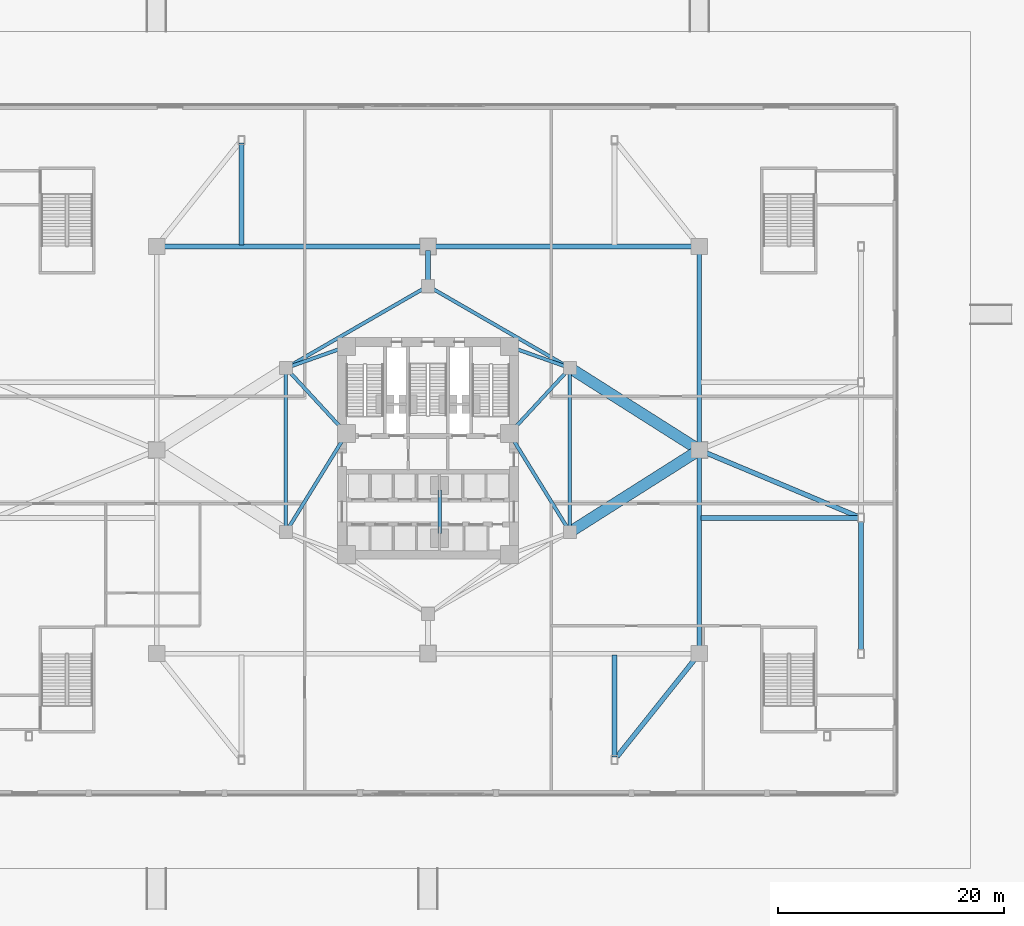
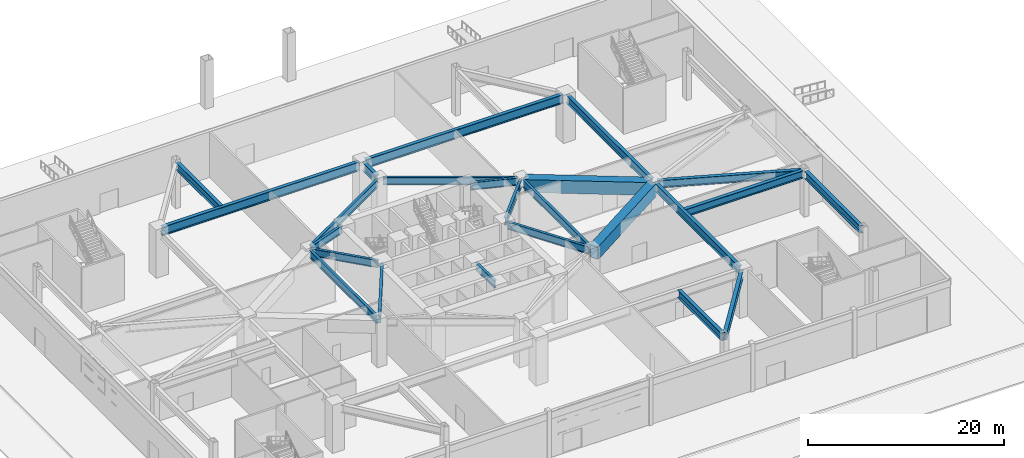
# One storey, part 5 of 24: 24 beams.
"""IFC4 building model written with IfcOpenShell, lengths in metres."""

import ifcopenshell
import ifcopenshell.guid

model = None  # the IFC model being written
_history = None  # IfcOwnerHistory: only IFC2X3 demands one
_inside = {}  # id of a spatial element -> (the spatial element, [elements in it])
_under = {}  # id of a project, library or spatial element -> (it, [spatial elements below it])
_declared = {}  # id of a project -> (the project, [libraries it declares])
_typed = {}  # id of a type object -> (the type object, [elements of that type])
_made_of = {}  # id of a material, layer set ... -> (it, [elements and type objects made of it])


def new_model(schema):
    """Start an empty IFC model of exactly this schema.

    Asked for "IFC4X3", IfcOpenShell would pick the latest addendum, in which some entities
    have other attributes; the version numbers below select the first issue.
    IFC2X3 requires an IfcOwnerHistory on every rooted entity: one is made here for all.
    """
    global model, _history
    if schema == "IFC4X3":
        model = ifcopenshell.file(schema_version=(4, 3, 0, 0))
    else:
        model = ifcopenshell.file(schema=schema)
    _inside.clear()
    _under.clear()
    _declared.clear()
    _typed.clear()
    _made_of.clear()
    _history = None
    if model.schema == "IFC2X3":
        org = make("IfcOrganization", Name="unknown")
        user = make(
            "IfcPersonAndOrganization",
            ThePerson=make("IfcPerson", FamilyName="unknown"),
            TheOrganization=org,
        )
        app = make(
            "IfcApplication",
            ApplicationDeveloper=org,
            Version="unknown",
            ApplicationFullName="unknown",
            ApplicationIdentifier="unknown",
        )
        _history = make(
            "IfcOwnerHistory",
            OwningUser=user,
            OwningApplication=app,
            ChangeAction="ADDED",
            CreationDate=0,
        )
    return model


def make(cls, **values):
    """One entity of the class cls with the attributes given. An attribute that is None is left unset."""
    return model.create_entity(
        cls, **{name: value for name, value in values.items() if value is not None}
    )


def rooted(cls, **values):
    """An entity with a GlobalId (a new one), such as an element, a storey or a relation."""
    return make(cls, GlobalId=ifcopenshell.guid.new(), OwnerHistory=_history, **values)


def si_unit(unit_type, name, prefix=None):
    """IfcSIUnit, for example si_unit("LENGTHUNIT", "METRE", prefix="MILLI")."""
    return make("IfcSIUnit", UnitType=unit_type, Prefix=prefix, Name=name)


def assignment(units):
    """IfcUnitAssignment: the units of a project."""
    return None if units is None else make("IfcUnitAssignment", Units=units)


def point(xyz):
    """IfcCartesianPoint."""
    return None if xyz is None else make("IfcCartesianPoint", Coordinates=xyz)


def direction(xyz):
    """IfcDirection."""
    return None if xyz is None else make("IfcDirection", DirectionRatios=xyz)


def frame(location, z_axis=None, x_axis=None):
    """IfcAxis2Placement3D, a coordinate frame: its origin and axes. An axis left out is left unset."""
    return make(
        "IfcAxis2Placement3D",
        Location=point(location),
        Axis=direction(z_axis),
        RefDirection=direction(x_axis),
    )


def frame_2d(location, x_axis=None):
    """IfcAxis2Placement2D, a coordinate frame in the plane: its origin and x axis."""
    return make(
        "IfcAxis2Placement2D", Location=point(location), RefDirection=direction(x_axis)
    )


def origin():
    """The frame at (0, 0, 0) with its axes left unset."""
    return frame((0.0, 0.0, 0.0))


def origin_2d():
    """The frame at (0, 0) in the plane with its x axis left unset."""
    return frame_2d((0.0, 0.0))


def place(relative_to, where):
    """IfcLocalPlacement: puts the frame where relative to a parent placement (None: the world)."""
    return make(
        "IfcLocalPlacement", PlacementRelTo=relative_to, RelativePlacement=where
    )


def context(
    kind, dimensions, precision=None, world=None, true_north=None, identifier=None
):
    """IfcGeometricRepresentationContext, for example the 3D "Model" context."""
    return make(
        "IfcGeometricRepresentationContext",
        ContextIdentifier=identifier,
        ContextType=kind,
        CoordinateSpaceDimension=dimensions,
        Precision=precision,
        WorldCoordinateSystem=world,
        TrueNorth=true_north,
    )


def subcontext(parent, identifier, kind, view, scale=None):
    """IfcGeometricRepresentationSubContext, for example "Body" below "Model"."""
    return make(
        "IfcGeometricRepresentationSubContext",
        ContextIdentifier=identifier,
        ContextType=kind,
        ParentContext=parent,
        TargetScale=scale,
        TargetView=view,
    )


def project(units=None, contexts=None):
    """IfcProject with its units and contexts."""
    return rooted(
        "IfcProject",
        Name="project",
        RepresentationContexts=contexts,
        UnitsInContext=assignment(units),
    )


def spatial(cls, under=None, at=None, **own):
    """A site, building, storey or space (cls), placed at a placement, below another one or the project."""
    s = rooted(cls, ObjectPlacement=at, **own)
    if under is not None:
        _under.setdefault(under.id(), (under, []))[1].append(s)
    return s


def profile(cls, at=None, kind="AREA", **sizes):
    """A parametric profile (cls). Its sizes go by their IFC names, for example OverallWidth=200.0."""
    return make(cls, ProfileType=kind, Position=at, **sizes)


def hollow_rectangle(**sizes):
    """IfcRectangleHollowProfileDef."""
    return profile("IfcRectangleHollowProfileDef", **sizes)


def i_section(**sizes):
    """IfcIShapeProfileDef."""
    return profile("IfcIShapeProfileDef", **sizes)


def extrude(swept, where, along, depth):
    """IfcExtrudedAreaSolid: the profile swept, set in the frame where, extruded along a direction by depth."""
    return make(
        "IfcExtrudedAreaSolid",
        SweptArea=swept,
        Position=where,
        ExtrudedDirection=direction(along),
        Depth=depth,
    )


def shape(context_of_items, identifier, shape_type, items):
    """IfcShapeRepresentation: the items that make up one representation, for example the "Body"."""
    return make(
        "IfcShapeRepresentation",
        ContextOfItems=context_of_items,
        RepresentationIdentifier=identifier,
        RepresentationType=shape_type,
        Items=items,
    )


def material(Name=None, Category=None):
    """IfcMaterial."""
    return make("IfcMaterial", Name=Name, Category=Category)


def material_profile(
    of_material, cross_section, Name=None, Category=None, Priority=None
):
    """IfcMaterialProfile: a cross section and its material."""
    return make(
        "IfcMaterialProfile",
        Name=Name,
        Material=of_material,
        Profile=cross_section,
        Priority=Priority,
        Category=Category,
    )


def profile_set(profiles, Name=None, composite=None):
    """IfcMaterialProfileSet."""
    return make(
        "IfcMaterialProfileSet",
        Name=Name,
        MaterialProfiles=profiles,
        CompositeProfile=composite,
    )


def made_of(thing, what):
    """Note that an element or type object is made of a material, layer set ...; save() writes the relation."""
    if what is not None:
        _made_of.setdefault(what.id(), (what, []))[1].append(thing)
    return thing


def type_object(cls, material=None, **own):
    """A type object (cls), such as IfcWallType, which elements share."""
    return made_of(rooted(cls, **own), material)


def element(
    cls,
    number,
    at=None,
    inside=None,
    cuts=None,
    type_object=None,
    material=None,
    context=None,
    identifier="Body",
    shape_type=None,
    held_by="IfcProductDefinitionShape",
    body=None,
    shapes=None,
    **own,
):
    """One element of the class cls, such as IfcWall. Its Tag is "e" and its number.

    at: its placement. inside: the storey or other place that contains it. cuts: it is an
    opening in that element (IfcRelVoidsElement). A single representation is given by context,
    identifier, shape_type and body (its items); several are given by shapes. held_by: the class
    of the entity that holds the representations. save() writes the other relations.
    """
    e = rooted(cls, Tag="e%d" % number, ObjectPlacement=at, **own)
    if body is not None:
        shapes = [shape(context, identifier, shape_type, body)]
    if shapes is not None:
        e.Representation = make(held_by, Representations=shapes)
    if inside is not None:
        _inside.setdefault(inside.id(), (inside, []))[1].append(e)
    if cuts is not None:
        rooted(
            "IfcRelVoidsElement", RelatingBuildingElement=cuts, RelatedOpeningElement=e
        )
    if type_object is not None:
        _typed.setdefault(type_object.id(), (type_object, []))[1].append(e)
    return made_of(e, material)


def aggregate(whole, parts):
    """IfcRelAggregates: a whole, such as a stair, and the parts it consists of."""
    return rooted("IfcRelAggregates", RelatingObject=whole, RelatedObjects=parts)


def save(model, path):
    """Write the relations noted so far, then the file.

    IfcRelAggregates (storeys below a building ...), IfcRelContainedInSpatialStructure (elements
    in a storey), IfcRelDefinesByType, IfcRelAssociatesMaterial and IfcRelDeclares: one each for
    every whole, place, type object, material and project.
    """
    for whole, parts in _under.values():
        aggregate(whole, parts)
    for where, things in _inside.values():
        rooted(
            "IfcRelContainedInSpatialStructure",
            RelatedElements=things,
            RelatingStructure=where,
        )
    for kind, things in _typed.values():
        rooted("IfcRelDefinesByType", RelatedObjects=things, RelatingType=kind)
    for what, things in _made_of.values():
        rooted("IfcRelAssociatesMaterial", RelatedObjects=things, RelatingMaterial=what)
    for by, libraries in _declared.values():
        rooted("IfcRelDeclares", RelatingContext=by, RelatedDefinitions=libraries)
    model.write(path)


model = new_model("IFC4")

# Units and contexts
model_context = context("Model", 3, precision=1e-05, world=origin(), true_north=direction((0.0, 1.0)))
body_context = subcontext(model_context, "Body", "Model", "MODEL_VIEW")
ifc_project = project(units=[si_unit("LENGTHUNIT", "METRE"), si_unit("AREAUNIT", "SQUARE_METRE"), si_unit("VOLUMEUNIT", "CUBIC_METRE"), si_unit("PLANEANGLEUNIT", "RADIAN"), si_unit("MASSUNIT", "GRAM", prefix="KILO")], contexts=[model_context])

# Site, building, storey
site_placement = place(None, origin())
site = spatial("IfcSite", under=ifc_project, at=site_placement, CompositionType="ELEMENT")
building_placement = place(site_placement, origin())
building = spatial("IfcBuilding", under=site, at=building_placement, Name="Apsidion Concourse Tower", CompositionType="ELEMENT")
storey_placement = place(building_placement, origin())
storey = spatial("IfcBuildingStorey", under=building, at=storey_placement, Name="L00", CompositionType="ELEMENT", Elevation=0.0)

# Beams
ifc_material_1 = material(Name="Structural steel ASTM A992 Grade 50", Category="steel")
ifc_material_profile_1 = material_profile(ifc_material_1, i_section(OverallWidth=0.31005859375, OverallDepth=0.931884765625, WebThickness=0.02099609375, FlangeThickness=0.034423828125, at=origin_2d()), Name="W36X210")
ifc_profile_set_1 = profile_set([ifc_material_profile_1], Name="Structural steel ASTM A992 Grade 50")
beam_type_1 = type_object("IfcBeamType", Name="BM-G-W36", PredefinedType="USERDEFINED", material=ifc_profile_set_1)
for number, where, z_axis, x_axis, name in (
    (1, (-12.35009765625, -6.909423828125, 5.23388671875), (0.524524009763, 0.851395656074, 0.0), (-0.851395656074, 0.524524009763, 0.0), "L00 Core Coupling Girder IC1-SC6"),
    (2, (12.35009765625, -6.909423828125, 5.23388671875), (-0.524524009763, 0.851395656074, 0.0), (-0.851395656074, -0.524524009763, 0.0), "L00 Core Coupling Girder IC2-SC3"),
):
    element("IfcBeam", number, at=place(storey_placement, frame(where, z_axis=z_axis, x_axis=x_axis)), inside=storey, type_object=beam_type_1, Name=name, ObjectType="GIRDER", PredefinedType="USERDEFINED", context=body_context, shape_type="SweptSolid", body=[
        extrude(i_section(OverallWidth=0.31005859375, OverallDepth=0.931884765625, WebThickness=0.02099609375, FlangeThickness=0.034423828125, at=origin_2d()), origin(), (0.0, 0.0, 1.0), 9.41845703125),
    ])
beam_1_placement = place(storey_placement, frame((12.28857421875, 6.956298828125, 5.23388671875), z_axis=(-0.678712876106, -0.73440372535, 0.0), x_axis=(0.73440372535, -0.678712876106, 0.0)))
element("IfcBeam", 3, at=beam_1_placement, inside=storey, type_object=beam_type_1, Name="L00 Core Coupling Girder IC3-SC3", ObjectType="GIRDER", PredefinedType="USERDEFINED", context=body_context, shape_type="SweptSolid", body=[
    extrude(i_section(OverallWidth=0.31005859375, OverallDepth=0.931884765625, WebThickness=0.02099609375, FlangeThickness=0.034423828125, at=origin_2d()), origin(), (0.0, 0.0, 1.0), 7.097412109375),
])
beam_2_placement = place(storey_placement, frame((12.18310546875, 7.383544921875, 5.23388671875), z_axis=(-0.942533844539, 0.334110688094, 0.0), x_axis=(-0.334110688094, -0.942533844539, 0.0)))
element("IfcBeam", 4, at=beam_2_placement, inside=storey, type_object=beam_type_1, Name="L00 Core Coupling Girder IC3-SC4", ObjectType="GIRDER", PredefinedType="USERDEFINED", context=body_context, shape_type="SweptSolid", body=[
    extrude(i_section(OverallWidth=0.31005859375, OverallDepth=0.931884765625, WebThickness=0.02099609375, FlangeThickness=0.034423828125, at=origin_2d()), origin(), (0.0, 0.0, 1.0), 4.886962890625),
])
beam_3_placement = place(storey_placement, frame((-12.28857421875, 6.956298828125, 5.23388671875), z_axis=(0.678712876106, -0.73440372535, 0.0), x_axis=(0.73440372535, 0.678712876106, 0.0)))
element("IfcBeam", 5, at=beam_3_placement, inside=storey, type_object=beam_type_1, Name="L00 Core Coupling Girder IC5-SC6", ObjectType="GIRDER", PredefinedType="USERDEFINED", context=body_context, shape_type="SweptSolid", body=[
    extrude(i_section(OverallWidth=0.31005859375, OverallDepth=0.931884765625, WebThickness=0.02099609375, FlangeThickness=0.034423828125, at=origin_2d()), origin(), (0.0, 0.0, 1.0), 7.097412109375),
])
beam_4_placement = place(storey_placement, frame((-12.18310546875, 7.383544921875, 5.23388671875), z_axis=(0.942533844539, 0.334110688094, 0.0), x_axis=(-0.334110688094, 0.942533844539, 0.0)))
element("IfcBeam", 6, at=beam_4_placement, inside=storey, type_object=beam_type_1, Name="L00 Core Coupling Girder IC5-SC5", ObjectType="GIRDER", PredefinedType="USERDEFINED", context=body_context, shape_type="SweptSolid", body=[
    extrude(i_section(OverallWidth=0.31005859375, OverallDepth=0.931884765625, WebThickness=0.02099609375, FlangeThickness=0.034423828125, at=origin_2d()), origin(), (0.0, 0.0, 1.0), 4.886962890625),
])
beam_5_placement = place(storey_placement, frame((-12.56005859375, -6.85009765625, 5.23388671875), z_axis=(0.0, 1.0, 0.0), x_axis=(-1.0, 0.0, 0.0)))
element("IfcBeam", 7, at=beam_5_placement, inside=storey, type_object=beam_type_1, Name="L00 Core Coupling Girder IC1-IC5", ObjectType="GIRDER", PredefinedType="USERDEFINED", context=body_context, shape_type="SweptSolid", body=[
    extrude(i_section(OverallWidth=0.31005859375, OverallDepth=0.931884765625, WebThickness=0.02099609375, FlangeThickness=0.034423828125, at=origin_2d()), origin(), (0.0, 0.0, 1.0), 13.7001953125),
])
for number, where, z_axis, x_axis, name in (
    (8, (-12.213623046875, 7.449951171875, 5.23388671875), (0.866070471464, 0.499921932364, 0.0), (-0.499921932364, 0.866070471464, 0.0), "L00 Core Coupling Girder IC5-IC4"),
    (9, (0.346435546875, 14.300048828125, 5.23388671875), (0.866070471464, -0.499921932364, 0.0), (0.499921932364, 0.866070471464, 0.0), "L00 Core Coupling Girder IC4-IC3"),
):
    element("IfcBeam", number, at=place(storey_placement, frame(where, z_axis=z_axis, x_axis=x_axis)), inside=storey, type_object=beam_type_1, Name=name, ObjectType="GIRDER", PredefinedType="USERDEFINED", context=body_context, shape_type="SweptSolid", body=[
        extrude(i_section(OverallWidth=0.31005859375, OverallDepth=0.931884765625, WebThickness=0.02099609375, FlangeThickness=0.034423828125, at=origin_2d()), origin(), (0.0, 0.0, 1.0), 13.702392578125),
    ])
beam_6_placement = place(storey_placement, frame((12.56005859375, 6.85009765625, 5.23388671875), z_axis=(0.0, -1.0, 0.0), x_axis=(1.0, 0.0, 0.0)))
element("IfcBeam", 10, at=beam_6_placement, inside=storey, type_object=beam_type_1, Name="L00 Core Coupling Girder IC3-IC2", ObjectType="GIRDER", PredefinedType="USERDEFINED", context=body_context, shape_type="SweptSolid", body=[
    extrude(i_section(OverallWidth=0.31005859375, OverallDepth=0.931884765625, WebThickness=0.02099609375, FlangeThickness=0.034423828125, at=origin_2d()), origin(), (0.0, 0.0, 1.0), 13.7001953125),
])
beam_7_placement = place(storey_placement, frame((1.02490234375, -3.550048828125, 5.23388671875), z_axis=(0.0, -1.0, 0.0), x_axis=(1.0, 0.0, 0.0)))
element("IfcBeam", 11, at=beam_7_placement, inside=storey, type_object=beam_type_1, Name="L00 Core Coupling Girder CC5-CC6", ObjectType="GIRDER", PredefinedType="USERDEFINED", context=body_context, shape_type="SweptSolid", body=[
    extrude(i_section(OverallWidth=0.31005859375, OverallDepth=0.931884765625, WebThickness=0.02099609375, FlangeThickness=0.034423828125, at=origin_2d()), origin(), (0.0, 0.0, 1.0), 3.849853515625),
])
ifc_material_profile_2 = material_profile(ifc_material_1, i_section(OverallWidth=0.423095703125, OverallDepth=0.947998046875, WebThickness=0.02392578125, FlangeThickness=0.042724609375, at=origin_2d()), Name="W36X302")
ifc_profile_set_2 = profile_set([ifc_material_profile_2], Name="Structural steel ASTM A992 Grade 50")
beam_type_2 = type_object("IfcBeamType", Name="BM-G-W36H", PredefinedType="USERDEFINED", material=ifc_profile_set_2)
beam_8_placement = place(storey_placement, frame((38.050048828125, -6.0, 5.22607421875), z_axis=(-1.0, 0.0, 0.0), x_axis=(0.0, -1.0, 0.0)))
element("IfcBeam", 12, at=beam_8_placement, inside=storey, type_object=beam_type_2, Name="L00 Podium Radial Frame Girder PC06", ObjectType="GIRDER", PredefinedType="USERDEFINED", context=body_context, shape_type="SweptSolid", body=[
    extrude(i_section(OverallWidth=0.423095703125, OverallDepth=0.947998046875, WebThickness=0.02392578125, FlangeThickness=0.042724609375, at=origin_2d()), origin(), (0.0, 0.0, 1.0), 13.900146484375),
])
beam_9_placement = place(storey_placement, frame((37.977294921875, -5.864501953125, 5.22607421875), z_axis=(-0.92212437548, 0.386893572118, 0.0), x_axis=(-0.386893572118, -0.92212437548, 0.0)))
element("IfcBeam", 13, at=beam_9_placement, inside=storey, type_object=beam_type_2, Name="L00 Podium Diagonal Frame Tie PC06", ObjectType="GIRDER", PredefinedType="USERDEFINED", context=body_context, shape_type="SweptSolid", body=[
    extrude(i_section(OverallWidth=0.423095703125, OverallDepth=0.947998046875, WebThickness=0.02392578125, FlangeThickness=0.042724609375, at=origin_2d()), origin(), (0.0, 0.0, 1.0), 14.8076171875),
])
beam_10_placement = place(storey_placement, frame((16.5, -27.14990234375, 5.22607421875), z_axis=(0.0, 1.0, 0.0), x_axis=(-1.0, 0.0, 0.0)))
element("IfcBeam", 14, at=beam_10_placement, inside=storey, type_object=beam_type_2, Name="L00 Podium Radial Frame Girder PC10", ObjectType="GIRDER", PredefinedType="USERDEFINED", context=body_context, shape_type="SweptSolid", body=[
    extrude(i_section(OverallWidth=0.423095703125, OverallDepth=0.947998046875, WebThickness=0.02392578125, FlangeThickness=0.042724609375, at=origin_2d()), origin(), (0.0, 0.0, 1.0), 9.0),
])
beam_11_placement = place(storey_placement, frame((16.71826171875, -27.12646484375, 5.22607421875), z_axis=(0.623685030382, 0.781675753031, 0.0), x_axis=(-0.781675753031, 0.623685030382, 0.0)))
element("IfcBeam", 15, at=beam_11_placement, inside=storey, type_object=beam_type_2, Name="L00 Podium Diagonal Frame Tie PC10", ObjectType="GIRDER", PredefinedType="USERDEFINED", context=body_context, shape_type="SweptSolid", body=[
    extrude(i_section(OverallWidth=0.423095703125, OverallDepth=0.947998046875, WebThickness=0.02392578125, FlangeThickness=0.042724609375, at=origin_2d()), origin(), (0.0, 0.0, 1.0), 11.325439453125),
])
beam_12_placement = place(storey_placement, frame((-16.5, 27.14990234375, 5.22607421875), z_axis=(0.0, -1.0, 0.0), x_axis=(1.0, 0.0, 0.0)))
element("IfcBeam", 16, at=beam_12_placement, inside=storey, type_object=beam_type_2, Name="L00 Podium Radial Frame Girder PC11", ObjectType="GIRDER", PredefinedType="USERDEFINED", context=body_context, shape_type="SweptSolid", body=[
    extrude(i_section(OverallWidth=0.423095703125, OverallDepth=0.947998046875, WebThickness=0.02392578125, FlangeThickness=0.042724609375, at=origin_2d()), origin(), (0.0, 0.0, 1.0), 9.0),
])
beam_13_placement = place(storey_placement, frame((38.300048828125, -17.64990234375, 5.22607421875), z_axis=(0.0, 1.0, 0.0), x_axis=(-1.0, 0.0, 0.0)))
element("IfcBeam", 17, at=beam_13_placement, inside=storey, type_object=beam_type_2, Name="L00 Podium Spandrel Girder PC05-PC06", ObjectType="GIRDER", PredefinedType="USERDEFINED", context=body_context, shape_type="SweptSolid", body=[
    extrude(i_section(OverallWidth=0.423095703125, OverallDepth=0.947998046875, WebThickness=0.02392578125, FlangeThickness=0.042724609375, at=origin_2d()), origin(), (0.0, 0.0, 1.0), 11.2998046875),
])
ifc_material_profile_3 = material_profile(ifc_material_1, i_section(OverallWidth=0.402099609375, OverallDepth=1.008056640625, WebThickness=0.02099609375, FlangeThickness=0.0400390625, at=origin_2d()), Name="W40X277")
ifc_profile_set_3 = profile_set([ifc_material_profile_3], Name="Structural steel ASTM A992 Grade 50")
beam_type_3 = type_object("IfcBeamType", Name="BM-G-W40", PredefinedType="USERDEFINED", material=ifc_profile_set_3)
for number, where, z_axis, x_axis, name in (
    (18, (24.0, -17.64990234375, 5.196044921875), (0.0, 1.0, 0.0), (-1.0, 0.0, 0.0), "L00 Podium Girder MC2-MC4"),
    (19, (24.0, 0.35009765625, 5.196044921875), (0.0, 1.0, 0.0), (-1.0, 0.0, 0.0), "L00 Podium Girder MC4-MC6"),
):
    element("IfcBeam", number, at=place(storey_placement, frame(where, z_axis=z_axis, x_axis=x_axis)), inside=storey, type_object=beam_type_3, Name=name, ObjectType="GIRDER", PredefinedType="USERDEFINED", context=body_context, shape_type="SweptSolid", body=[
        extrude(i_section(OverallWidth=0.402099609375, OverallDepth=1.008056640625, WebThickness=0.02099609375, FlangeThickness=0.0400390625, at=origin_2d()), origin(), (0.0, 0.0, 1.0), 17.2998046875),
    ])
ifc_material_profile_4 = material_profile(ifc_material_1, i_section(OverallWidth=0.408935546875, OverallDepth=1.041015625, WebThickness=0.031005859375, FlangeThickness=0.055908203125, at=origin_2d()), Name="W40X397")
ifc_profile_set_4 = profile_set([ifc_material_profile_4], Name="Structural steel ASTM A992 Grade 50")
beam_type_4 = type_object("IfcBeamType", Name="BM-G-W40H", PredefinedType="USERDEFINED", material=ifc_profile_set_4)
beam_14_placement = place(storey_placement, frame((0.0, 17.64990234375, 5.179443359375), z_axis=(0.0, -1.0, 0.0), x_axis=(1.0, 0.0, 0.0)))
element("IfcBeam", 20, at=beam_14_placement, inside=storey, type_object=beam_type_4, Name="L00 Podium Girder MC8-IC4", ObjectType="GIRDER", PredefinedType="USERDEFINED", context=body_context, shape_type="SweptSolid", body=[
    extrude(i_section(OverallWidth=0.408935546875, OverallDepth=1.041015625, WebThickness=0.031005859375, FlangeThickness=0.055908203125, at=origin_2d()), origin(), (0.0, 0.0, 1.0), 2.7998046875),
])
ifc_material_profile_5 = material_profile(ifc_material_1, i_section(OverallWidth=0.405029296875, OverallDepth=1.117919921875, WebThickness=0.026123046875, FlangeThickness=0.044921875, at=origin_2d()), Name="W44X335")
ifc_profile_set_5 = profile_set([ifc_material_profile_5], Name="Structural steel ASTM A992 Grade 50")
beam_type_5 = type_object("IfcBeamType", Name="BM-G-W44", PredefinedType="USERDEFINED", material=ifc_profile_set_5)
for number, where, z_axis, x_axis, name in (
    (21, (-23.64990234375, 18.0, 5.14111328125), (1.0, 0.0, 0.0), (0.0, 1.0, 0.0), "L00 Podium Girder MC5-MC8"),
    (22, (0.35009765625, 18.0, 5.14111328125), (1.0, 0.0, 0.0), (0.0, 1.0, 0.0), "L00 Podium Girder MC8-MC6"),
):
    element("IfcBeam", number, at=place(storey_placement, frame(where, z_axis=z_axis, x_axis=x_axis)), inside=storey, type_object=beam_type_5, Name=name, ObjectType="GIRDER", PredefinedType="USERDEFINED", context=body_context, shape_type="SweptSolid", body=[
        extrude(i_section(OverallWidth=0.405029296875, OverallDepth=1.117919921875, WebThickness=0.026123046875, FlangeThickness=0.044921875, at=origin_2d()), origin(), (0.0, 0.0, 1.0), 23.2998046875),
    ])
ifc_material_2 = material(Name="Structural steel ASTM A572 Grade 50", Category="steel")
ifc_material_profile_6 = material_profile(ifc_material_2, hollow_rectangle(XDim=1.0, YDim=1.60009765625, WallThickness=0.074951171875, at=origin_2d()), Name="BOX1600X1000X75")
ifc_profile_set_6 = profile_set([ifc_material_profile_6], Name="Structural steel ASTM A572 Grade 50")
beam_type_6 = type_object("IfcBeamType", Name="BM-TR-1600", PredefinedType="USERDEFINED", material=ifc_profile_set_6)
for number, where, z_axis, x_axis, name in (
    (23, (23.704345703125, -0.1875, 4.89990234375), (-0.844671254714, -0.535285411215, 0.0), (0.535285411215, -0.844671254714, 0.0), "L00 Podium Girder MC4-IC2"),
    (24, (23.704345703125, 0.1875, 4.89990234375), (-0.844671254714, 0.535285411215, 0.0), (-0.535285411215, -0.844671254714, 0.0), "L00 Podium Girder MC4-IC3"),
):
    element("IfcBeam", number, at=place(storey_placement, frame(where, z_axis=z_axis, x_axis=x_axis)), inside=storey, type_object=beam_type_6, Name=name, ObjectType="GIRDER", PredefinedType="USERDEFINED", context=body_context, shape_type="SweptSolid", body=[
        extrude(hollow_rectangle(XDim=1.0, YDim=1.60009765625, WallThickness=0.074951171875, at=origin_2d()), origin(), (0.0, 0.0, 1.0), 12.843505859375),
    ])

save(model, "model.ifc")
